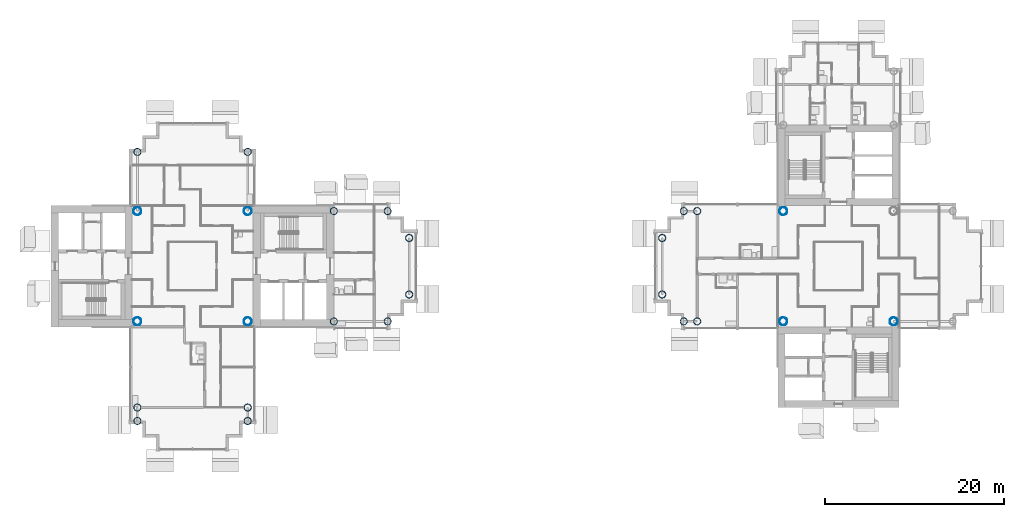
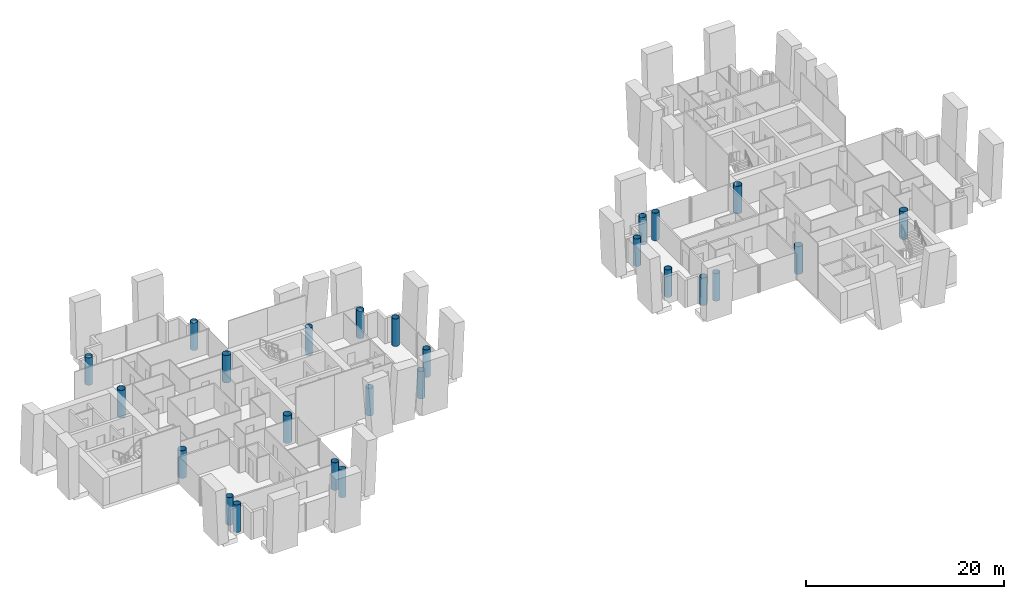
# One storey, part 1 of 18: 25 columns.
"""IFC4 building model written with IfcOpenShell, lengths in metres."""

import ifcopenshell
import ifcopenshell.guid

model = None  # the IFC model being written
_history = None  # IfcOwnerHistory: only IFC2X3 demands one
_inside = {}  # id of a spatial element -> (the spatial element, [elements in it])
_under = {}  # id of a project, library or spatial element -> (it, [spatial elements below it])
_declared = {}  # id of a project -> (the project, [libraries it declares])
_typed = {}  # id of a type object -> (the type object, [elements of that type])
_made_of = {}  # id of a material, layer set ... -> (it, [elements and type objects made of it])


def new_model(schema):
    """Start an empty IFC model of exactly this schema.

    Asked for "IFC4X3", IfcOpenShell would pick the latest addendum, in which some entities
    have other attributes; the version numbers below select the first issue.
    IFC2X3 requires an IfcOwnerHistory on every rooted entity: one is made here for all.
    """
    global model, _history
    if schema == "IFC4X3":
        model = ifcopenshell.file(schema_version=(4, 3, 0, 0))
    else:
        model = ifcopenshell.file(schema=schema)
    _inside.clear()
    _under.clear()
    _declared.clear()
    _typed.clear()
    _made_of.clear()
    _history = None
    if model.schema == "IFC2X3":
        org = make("IfcOrganization", Name="unknown")
        user = make(
            "IfcPersonAndOrganization",
            ThePerson=make("IfcPerson", FamilyName="unknown"),
            TheOrganization=org,
        )
        app = make(
            "IfcApplication",
            ApplicationDeveloper=org,
            Version="unknown",
            ApplicationFullName="unknown",
            ApplicationIdentifier="unknown",
        )
        _history = make(
            "IfcOwnerHistory",
            OwningUser=user,
            OwningApplication=app,
            ChangeAction="ADDED",
            CreationDate=0,
        )
    return model


def make(cls, **values):
    """One entity of the class cls with the attributes given. An attribute that is None is left unset."""
    return model.create_entity(
        cls, **{name: value for name, value in values.items() if value is not None}
    )


def rooted(cls, **values):
    """An entity with a GlobalId (a new one), such as an element, a storey or a relation."""
    return make(cls, GlobalId=ifcopenshell.guid.new(), OwnerHistory=_history, **values)


def si_unit(unit_type, name, prefix=None):
    """IfcSIUnit, for example si_unit("LENGTHUNIT", "METRE", prefix="MILLI")."""
    return make("IfcSIUnit", UnitType=unit_type, Prefix=prefix, Name=name)


def assignment(units):
    """IfcUnitAssignment: the units of a project."""
    return None if units is None else make("IfcUnitAssignment", Units=units)


def point(xyz):
    """IfcCartesianPoint."""
    return None if xyz is None else make("IfcCartesianPoint", Coordinates=xyz)


def direction(xyz):
    """IfcDirection."""
    return None if xyz is None else make("IfcDirection", DirectionRatios=xyz)


def frame(location, z_axis=None, x_axis=None):
    """IfcAxis2Placement3D, a coordinate frame: its origin and axes. An axis left out is left unset."""
    return make(
        "IfcAxis2Placement3D",
        Location=point(location),
        Axis=direction(z_axis),
        RefDirection=direction(x_axis),
    )


def frame_2d(location, x_axis=None):
    """IfcAxis2Placement2D, a coordinate frame in the plane: its origin and x axis."""
    return make(
        "IfcAxis2Placement2D", Location=point(location), RefDirection=direction(x_axis)
    )


def origin():
    """The frame at (0, 0, 0) with its axes left unset."""
    return frame((0.0, 0.0, 0.0))


def origin_2d():
    """The frame at (0, 0) in the plane with its x axis left unset."""
    return frame_2d((0.0, 0.0))


def place(relative_to, where):
    """IfcLocalPlacement: puts the frame where relative to a parent placement (None: the world)."""
    return make(
        "IfcLocalPlacement", PlacementRelTo=relative_to, RelativePlacement=where
    )


def context(
    kind, dimensions, precision=None, world=None, true_north=None, identifier=None
):
    """IfcGeometricRepresentationContext, for example the 3D "Model" context."""
    return make(
        "IfcGeometricRepresentationContext",
        ContextIdentifier=identifier,
        ContextType=kind,
        CoordinateSpaceDimension=dimensions,
        Precision=precision,
        WorldCoordinateSystem=world,
        TrueNorth=true_north,
    )


def subcontext(parent, identifier, kind, view, scale=None):
    """IfcGeometricRepresentationSubContext, for example "Body" below "Model"."""
    return make(
        "IfcGeometricRepresentationSubContext",
        ContextIdentifier=identifier,
        ContextType=kind,
        ParentContext=parent,
        TargetScale=scale,
        TargetView=view,
    )


def project(units=None, contexts=None):
    """IfcProject with its units and contexts."""
    return rooted(
        "IfcProject",
        Name="project",
        RepresentationContexts=contexts,
        UnitsInContext=assignment(units),
    )


def spatial(cls, under=None, at=None, **own):
    """A site, building, storey or space (cls), placed at a placement, below another one or the project."""
    s = rooted(cls, ObjectPlacement=at, **own)
    if under is not None:
        _under.setdefault(under.id(), (under, []))[1].append(s)
    return s


def profile(cls, at=None, kind="AREA", **sizes):
    """A parametric profile (cls). Its sizes go by their IFC names, for example OverallWidth=200.0."""
    return make(cls, ProfileType=kind, Position=at, **sizes)


def hollow_circle(**sizes):
    """IfcCircleHollowProfileDef."""
    return profile("IfcCircleHollowProfileDef", **sizes)


def extrude(swept, where, along, depth):
    """IfcExtrudedAreaSolid: the profile swept, set in the frame where, extruded along a direction by depth."""
    return make(
        "IfcExtrudedAreaSolid",
        SweptArea=swept,
        Position=where,
        ExtrudedDirection=direction(along),
        Depth=depth,
    )


def shape(context_of_items, identifier, shape_type, items):
    """IfcShapeRepresentation: the items that make up one representation, for example the "Body"."""
    return make(
        "IfcShapeRepresentation",
        ContextOfItems=context_of_items,
        RepresentationIdentifier=identifier,
        RepresentationType=shape_type,
        Items=items,
    )


def material(Name=None, Category=None):
    """IfcMaterial."""
    return make("IfcMaterial", Name=Name, Category=Category)


def material_profile(
    of_material, cross_section, Name=None, Category=None, Priority=None
):
    """IfcMaterialProfile: a cross section and its material."""
    return make(
        "IfcMaterialProfile",
        Name=Name,
        Material=of_material,
        Profile=cross_section,
        Priority=Priority,
        Category=Category,
    )


def profile_set(profiles, Name=None, composite=None):
    """IfcMaterialProfileSet."""
    return make(
        "IfcMaterialProfileSet",
        Name=Name,
        MaterialProfiles=profiles,
        CompositeProfile=composite,
    )


def made_of(thing, what):
    """Note that an element or type object is made of a material, layer set ...; save() writes the relation."""
    if what is not None:
        _made_of.setdefault(what.id(), (what, []))[1].append(thing)
    return thing


def type_object(cls, material=None, **own):
    """A type object (cls), such as IfcWallType, which elements share."""
    return made_of(rooted(cls, **own), material)


def element(
    cls,
    number,
    at=None,
    inside=None,
    cuts=None,
    type_object=None,
    material=None,
    context=None,
    identifier="Body",
    shape_type=None,
    held_by="IfcProductDefinitionShape",
    body=None,
    shapes=None,
    **own,
):
    """One element of the class cls, such as IfcWall. Its Tag is "e" and its number.

    at: its placement. inside: the storey or other place that contains it. cuts: it is an
    opening in that element (IfcRelVoidsElement). A single representation is given by context,
    identifier, shape_type and body (its items); several are given by shapes. held_by: the class
    of the entity that holds the representations. save() writes the other relations.
    """
    e = rooted(cls, Tag="e%d" % number, ObjectPlacement=at, **own)
    if body is not None:
        shapes = [shape(context, identifier, shape_type, body)]
    if shapes is not None:
        e.Representation = make(held_by, Representations=shapes)
    if inside is not None:
        _inside.setdefault(inside.id(), (inside, []))[1].append(e)
    if cuts is not None:
        rooted(
            "IfcRelVoidsElement", RelatingBuildingElement=cuts, RelatedOpeningElement=e
        )
    if type_object is not None:
        _typed.setdefault(type_object.id(), (type_object, []))[1].append(e)
    return made_of(e, material)


def aggregate(whole, parts):
    """IfcRelAggregates: a whole, such as a stair, and the parts it consists of."""
    return rooted("IfcRelAggregates", RelatingObject=whole, RelatedObjects=parts)


def save(model, path):
    """Write the relations noted so far, then the file.

    IfcRelAggregates (storeys below a building ...), IfcRelContainedInSpatialStructure (elements
    in a storey), IfcRelDefinesByType, IfcRelAssociatesMaterial and IfcRelDeclares: one each for
    every whole, place, type object, material and project.
    """
    for whole, parts in _under.values():
        aggregate(whole, parts)
    for where, things in _inside.values():
        rooted(
            "IfcRelContainedInSpatialStructure",
            RelatedElements=things,
            RelatingStructure=where,
        )
    for kind, things in _typed.values():
        rooted("IfcRelDefinesByType", RelatedObjects=things, RelatingType=kind)
    for what, things in _made_of.values():
        rooted("IfcRelAssociatesMaterial", RelatedObjects=things, RelatingMaterial=what)
    for by, libraries in _declared.values():
        rooted("IfcRelDeclares", RelatingContext=by, RelatedDefinitions=libraries)
    model.write(path)


model = new_model("IFC4")

# Units and contexts
model_context = context("Model", 3, precision=1e-05, world=origin(), true_north=direction((0.0, 1.0)))
body_context = subcontext(model_context, "Body", "Model", "MODEL_VIEW")
ifc_project = project(units=[si_unit("LENGTHUNIT", "METRE"), si_unit("AREAUNIT", "SQUARE_METRE"), si_unit("VOLUMEUNIT", "CUBIC_METRE"), si_unit("PLANEANGLEUNIT", "RADIAN"), si_unit("MASSUNIT", "GRAM", prefix="KILO")], contexts=[model_context])

# Site, building, storey
site_placement = place(None, origin())
site = spatial("IfcSite", under=ifc_project, at=site_placement, CompositionType="ELEMENT")
building_placement = place(site_placement, origin())
building = spatial("IfcBuilding", under=site, at=building_placement, Name="Ipe Terrace Towers", CompositionType="ELEMENT")
storey_placement = place(building_placement, frame((0.0, 0.0, 171.10009765625)))
storey = spatial("IfcBuildingStorey", under=building, at=storey_placement, Name="L47", CompositionType="ELEMENT", Elevation=171.10009765625)

# Columns
ifc_material_1 = material(Name="Steel S355 tube with Concrete C60/75 fill", Category="concrete")
ifc_material_profile_1 = material_profile(ifc_material_1, hollow_circle(Radius=0.39990234375, WallThickness=0.028076171875, at=origin_2d()), Name="CHS-800x28")
ifc_profile_set_1 = profile_set([ifc_material_profile_1], Name="Steel S355 tube with Concrete C60/75 fill")
column_type_1 = type_object("IfcColumnType", Name="CH09 COLUMN CHS-800x28", PredefinedType="COLUMN", material=ifc_profile_set_1)
for number, where, z_axis, x_axis, name in (
    (1, (-20.25, -6.14990234375, 0.0), (0.0, 0.0, 1.0), (1.0, 0.0, 0.0), "Column T1-C-A01"),
    (2, (-20.25, 6.14990234375, 0.0), (0.0, 0.0, 1.0), (1.0, 0.0, 0.0), "Column T1-C-A02"),
    (3, (-14.25, -6.14990234375, 0.0), (0.0, 0.0, 1.0), (1.0, 0.0, 0.0), "Column T1-C-A03"),
    (4, (-14.25, 6.14990234375, 0.0), (0.0, 0.0, 1.0), (1.0, 0.0, 0.0), "Column T1-C-A04"),
    (5, (-11.85009765625, -3.14990234375, 0.0), (0.0, 0.0, 1.0), (1.0, 0.0, 0.0), "Column T1-C-A05"),
    (6, (-11.85009765625, 3.14990234375, 0.0), (0.0, 0.0, 1.0), (1.0, 0.0, 0.0), "Column T1-C-A06"),
    (7, (-29.85009765625, 12.75, 0.0), (0.0, 0.0, 1.0), (1.0, 0.0, 0.0), "Column T1-C-B01"),
    (8, (-42.14990234375, 12.75, 0.0), (0.0, 0.0, 1.0), (1.0, 0.0, 0.0), "Column T1-C-B02"),
    (9, (-42.14990234375, -15.75, 0.0), (0.0, 0.0, 1.0), (1.0, 0.0, 0.0), "Column T1-C-D03"),
    (10, (-29.85009765625, -15.75, 0.0), (0.0, 0.0, 1.0), (1.0, 0.0, 0.0), "Column T1-C-D04"),
    (11, (-42.14990234375, -17.25, 0.0), (0.0, 0.0, 1.0), (1.0, 0.0, 0.0), "Column T1-C-D05"),
    (12, (-29.85009765625, -17.25, 0.0), (0.0, 0.0, 1.0), (1.0, 0.0, 0.0), "Column T1-C-D06"),
    (13, (20.25, 6.14990234375, 0.0), (0.0, 0.0, 1.0), (1.0, 0.0, 0.0), "Column T2-C-B03"),
    (14, (20.25, -6.14990234375, 0.0), (0.0, 0.0, 1.0), (1.0, 0.0, 0.0), "Column T2-C-B04"),
    (15, (18.75, 6.14990234375, 0.0), (0.0, 0.0, 1.0), (1.0, 0.0, 0.0), "Column T2-C-B05"),
    (16, (18.75, -6.14990234375, 0.0), (0.0, 0.0, 1.0), (1.0, 0.0, 0.0), "Column T2-C-B06"),
    (17, (16.35009765625, 3.14990234375, 0.0), (0.0, 0.0, 1.0), (1.0, 0.0, 0.0), "Column T2-C-B07"),
    (18, (16.35009765625, -3.14990234375, 0.0), (0.0, 0.0, 1.0), (1.0, 0.0, 0.0), "Column T2-C-B08"),
):
    element("IfcColumn", number, at=place(storey_placement, frame(where, z_axis=z_axis, x_axis=x_axis)), inside=storey, type_object=column_type_1, Name=name, PredefinedType="COLUMN", context=body_context, shape_type="SweptSolid", body=[
        extrude(hollow_circle(Radius=0.39990234375, WallThickness=0.028076171875, at=origin_2d()), origin(), (0.0, 0.0, 1.0), 3.39990234375),
    ])
ifc_material_2 = material(Name="Steel S355 tube with Concrete C60/75 fill", Category="concrete")
ifc_material_profile_2 = material_profile(ifc_material_2, hollow_circle(Radius=0.449951171875, WallThickness=0.031982421875, at=origin_2d()), Name="CHS-900x32")
ifc_profile_set_2 = profile_set([ifc_material_profile_2], Name="Steel S355 tube with Concrete C60/75 fill")
column_type_2 = type_object("IfcColumnType", Name="CH10 COLUMN CHS-900x32", PredefinedType="COLUMN", material=ifc_profile_set_2)
for number, where, z_axis, x_axis, name in (
    (19, (-42.14990234375, -6.14990234375, 0.0), (0.0, 0.0, 1.0), (1.0, 0.0, 0.0), "Column T1-C-E01"),
    (20, (-29.85009765625, -6.14990234375, 0.0), (0.0, 0.0, 1.0), (1.0, 0.0, 0.0), "Column T1-C-E02"),
    (21, (-29.85009765625, 6.14990234375, 0.0), (0.0, 0.0, 1.0), (1.0, 0.0, 0.0), "Column T1-C-E03"),
    (22, (-42.14990234375, 6.14990234375, 0.0), (0.0, 0.0, 1.0), (1.0, 0.0, 0.0), "Column T1-C-E04"),
    (23, (42.14990234375, -6.14990234375, 0.0), (0.0, 0.0, 1.0), (1.0, 0.0, 0.0), "Column T2-C-E01"),
    (24, (29.85009765625, 6.14990234375, 0.0), (0.0, 0.0, 1.0), (1.0, 0.0, 0.0), "Column T2-C-E03"),
    (25, (29.85009765625, -6.14990234375, 0.0), (0.0, 0.0, 1.0), (1.0, 0.0, 0.0), "Column T2-C-E04"),
):
    element("IfcColumn", number, at=place(storey_placement, frame(where, z_axis=z_axis, x_axis=x_axis)), inside=storey, type_object=column_type_2, Name=name, PredefinedType="COLUMN", context=body_context, shape_type="SweptSolid", body=[
        extrude(hollow_circle(Radius=0.449951171875, WallThickness=0.031982421875, at=origin_2d()), origin(), (0.0, 0.0, 1.0), 3.39990234375),
    ])

save(model, "model.ifc")
